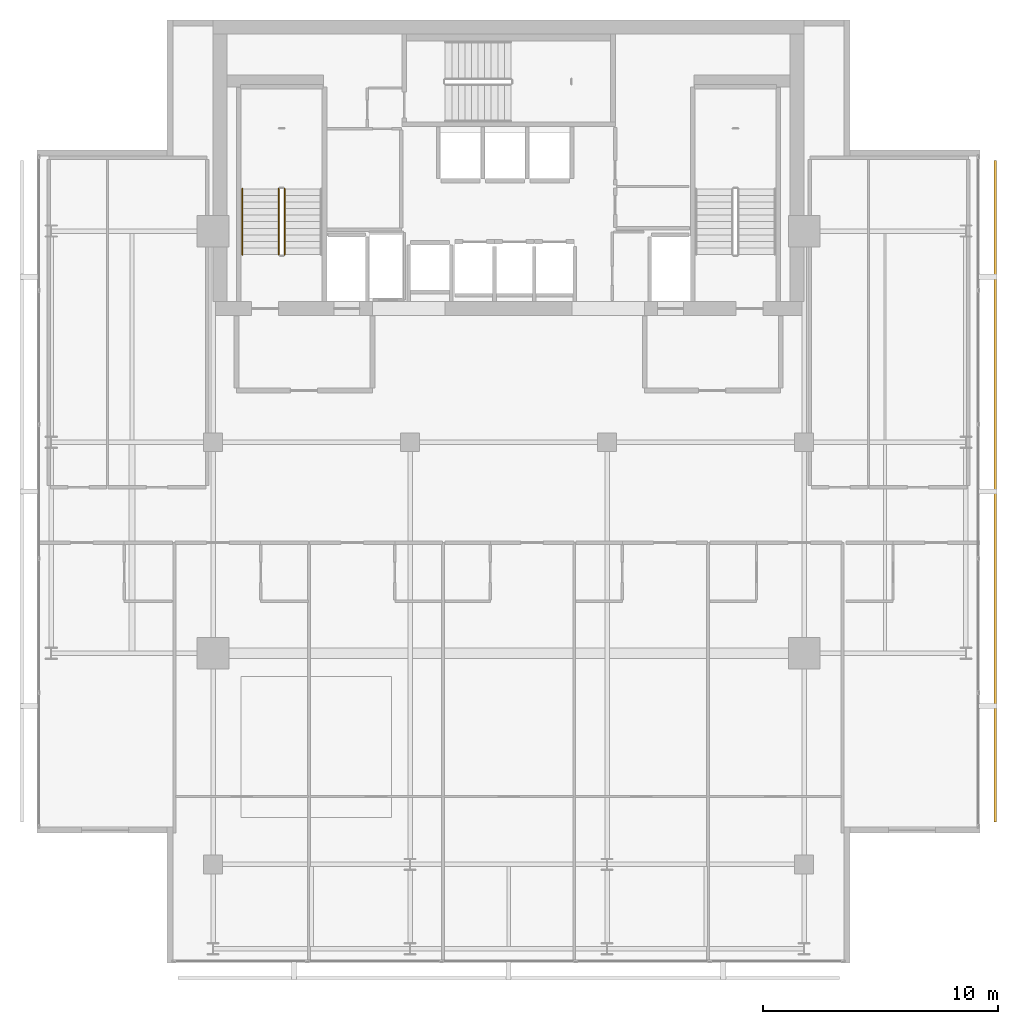
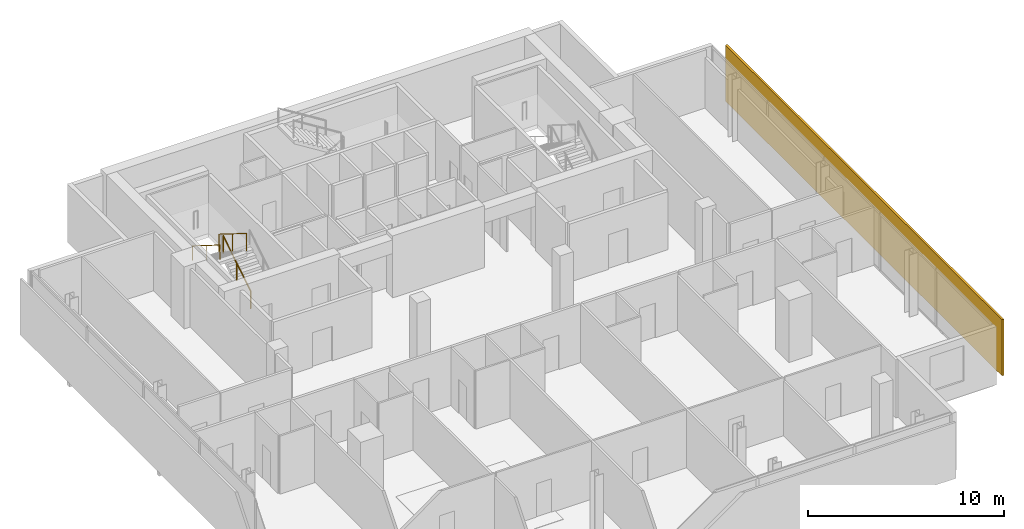
# One storey, part 23 of 24: 3 railings, 1 shading device.
"""IFC4 building model written with IfcOpenShell, lengths in metres."""

from ifc_helpers import new_model, si_unit, direction, frame, origin, origin_2d, place, context, subcontext, project, spatial, rectangle, circle, extrude, material, layer, layer_set, type_object, element, save


model = new_model("IFC4")

# Units and contexts
model_context = context("Model", 3, precision=1e-05, world=origin(), true_north=direction((0.0, 1.0)))
body_context = subcontext(model_context, "Body", "Model", "MODEL_VIEW")
ifc_project = project(units=[si_unit("LENGTHUNIT", "METRE"), si_unit("AREAUNIT", "SQUARE_METRE"), si_unit("VOLUMEUNIT", "CUBIC_METRE"), si_unit("PLANEANGLEUNIT", "RADIAN"), si_unit("MASSUNIT", "GRAM", prefix="KILO")], contexts=[model_context])

# Site, building, storey
site_placement = place(None, origin())
site = spatial("IfcSite", under=ifc_project, at=site_placement, CompositionType="ELEMENT")
building_placement = place(site_placement, origin())
building = spatial("IfcBuilding", under=site, at=building_placement, Name="Maruvema Waterfront Hotel and Observation Tower", CompositionType="ELEMENT")
storey_placement = place(building_placement, frame((0.0, 0.0, 333.550048828125)))
storey = spatial("IfcBuildingStorey", under=building, at=storey_placement, Name="L82", CompositionType="ELEMENT", Elevation=333.550048828125)

# Railings
ifc_material_1 = material(Name="Brushed stainless steel Grade 316", Category="steel")
railing_type_1 = type_object("IfcRailingType", Name="Ramp Continuous Wall Handrail 920 mm", PredefinedType="HANDRAIL", material=ifc_material_1)
railing_1_placement = place(storey_placement, frame((26.449951171875, 46.800048828125, 2.099853515625)))
element("IfcRailing", 1, at=railing_1_placement, inside=storey, type_object=railing_type_1, Name="L82 ST-01 stair handrail 2", PredefinedType="HANDRAIL", context=body_context, shape_type="SweptSolid", body=[
    extrude(circle(Radius=0.02392578125, at=origin_2d()), frame((0.0, 0.0, 0.89599609375), z_axis=(0.0, -0.848002457836, 0.529992293815), x_axis=(1.0, 0.0, 0.0)), (0.0, 0.0, 1.0), 3.302001953125),
    extrude(circle(Radius=0.02099609375, at=origin_2d()), origin(), (0.0, 0.0, 1.0), 0.871826171875),
    extrude(circle(Radius=0.02099609375, at=origin_2d()), frame((0.0, -1.39990234375, 0.875)), (0.0, 0.0, 1.0), 0.871826171875),
    extrude(circle(Radius=0.02099609375, at=origin_2d()), frame((0.0, -2.800048828125, 1.75)), (0.0, 0.0, 1.0), 0.871826171875),
])
ifc_material_2 = material(Name="Brushed stainless steel Grade 316", Category="steel")
railing_type_2 = type_object("IfcRailingType", Name="Ramp and Terrace Guard Balustrade 1100 mm", PredefinedType="BALUSTRADE", material=ifc_material_2)
railing_2_placement = place(storey_placement, frame((28.25, 44.0, 0.175048828125)))
element("IfcRailing", 2, at=railing_2_placement, inside=storey, type_object=railing_type_2, Name="L82 ST-01 stair guard 1", PredefinedType="BALUSTRADE", context=body_context, shape_type="SweptSolid", body=[
    extrude(circle(Radius=0.02392578125, at=origin_2d()), frame((0.0, 0.0, 1.076171875), z_axis=(0.0, 0.848002457836, 0.529992293815), x_axis=(-1.0, 0.0, 0.0)), (0.0, 0.0, 1.0), 3.302001953125),
    extrude(circle(Radius=0.02099609375, at=origin_2d()), origin(), (0.0, 0.0, 1.0), 1.052001953125),
    extrude(circle(Radius=0.02099609375, at=origin_2d()), frame((0.0, 1.39990234375, 0.875)), (0.0, 0.0, 1.0), 1.052001953125),
    extrude(circle(Radius=0.02099609375, at=origin_2d()), frame((0.0, 2.800048828125, 1.75)), (0.0, 0.0, 1.0), 1.052001953125),
])
railing_3_placement = place(storey_placement, frame((28.0, 46.800048828125, 2.099853515625)))
element("IfcRailing", 3, at=railing_3_placement, inside=storey, type_object=railing_type_2, Name="L82 ST-01 stair guard 3", PredefinedType="BALUSTRADE", context=body_context, shape_type="SweptSolid", body=[
    extrude(circle(Radius=0.02392578125, at=origin_2d()), frame((0.0, 0.0, 1.076171875), z_axis=(0.0, -0.848002457836, 0.529992293815), x_axis=(1.0, 0.0, 0.0)), (0.0, 0.0, 1.0), 3.302001953125),
    extrude(circle(Radius=0.02099609375, at=origin_2d()), origin(), (0.0, 0.0, 1.0), 1.052001953125),
    extrude(circle(Radius=0.02099609375, at=origin_2d()), frame((0.0, -1.39990234375, 0.875)), (0.0, 0.0, 1.0), 1.052001953125),
    extrude(circle(Radius=0.02099609375, at=origin_2d()), frame((0.0, -2.800048828125, 1.75)), (0.0, 0.0, 1.0), 1.052001953125),
])

# Shading device
ifc_material_3 = material(Name="Honed travertine stone and anodised architectural bronze", Category="masonry")
ifc_layer = layer(ifc_material_3, 0.1201171875, Name="Ventilated Outer Skin Cobogo Stone-and-Bronze Screen 120 mm")
ifc_layer_set = layer_set([ifc_layer], Name="Honed travertine stone and anodised architectural bronze")
shading_device_type = type_object("IfcShadingDeviceType", Name="Ventilated Outer Skin Cobogo Stone-and-Bronze Screen 120 mm", PredefinedType="USERDEFINED", material=ifc_layer_set)
shading_device_placement = place(storey_placement, frame((58.550048828125, 33.89990234375, 0.06005859375), z_axis=(0.0, 0.0, 1.0), x_axis=(0.0, 1.0, 0.0)))
element("IfcShadingDevice", 4, at=shading_device_placement, inside=storey, type_object=shading_device_type, Name="L82 Ventilated Double-Skin Outer Cobogo Screen OS-L82-E", ObjectType="OUTER SKIN SCREEN", PredefinedType="USERDEFINED", context=body_context, shape_type="SweptSolid", body=[
    extrude(rectangle(XDim=28.199951171875, YDim=0.1201171875, at=origin_2d()), origin(), (0.0, 0.0, 1.0), 3.489990234375),
])

save(model, "model.ifc")
